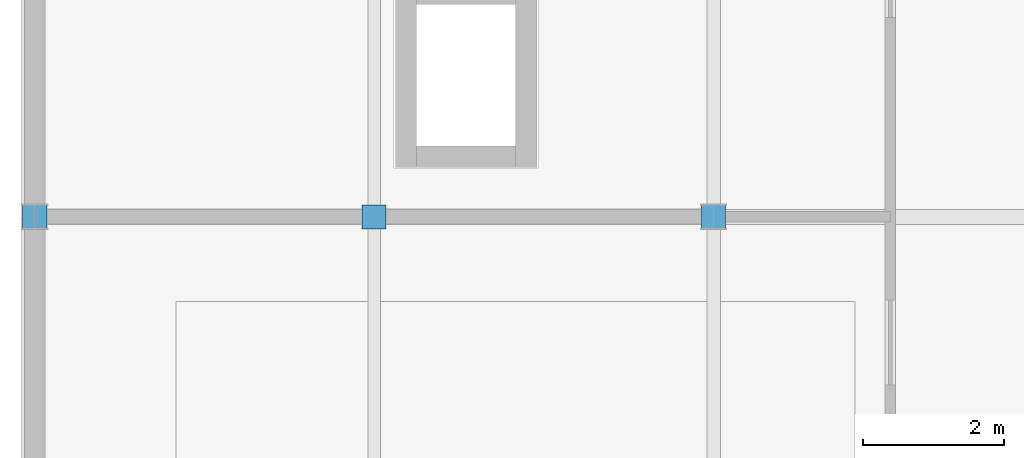
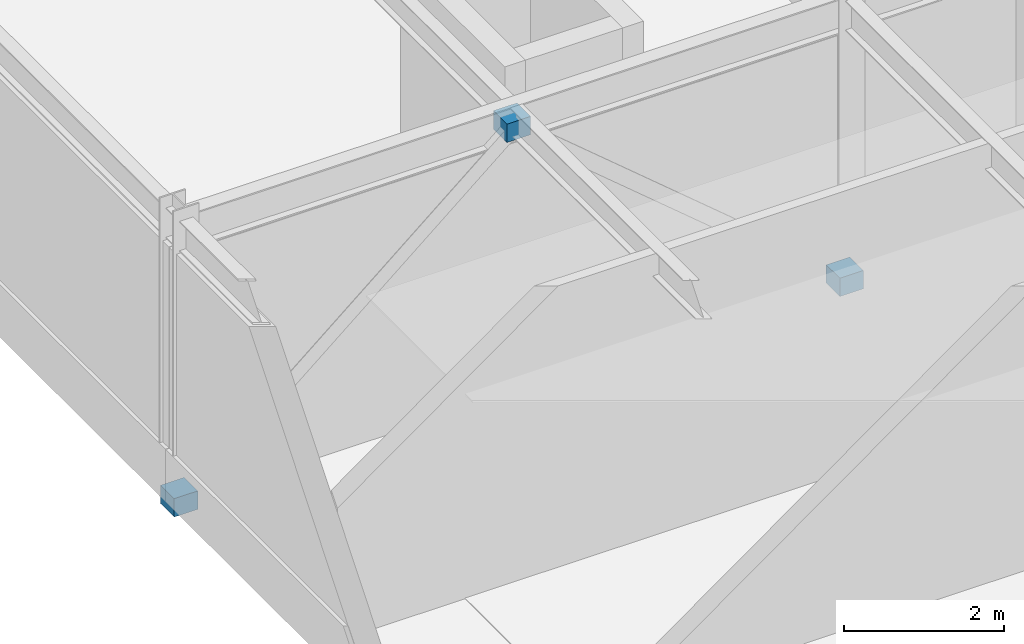
# One storey, part 98 of 133: 3 plates.
"""IFC4 building model written with IfcOpenShell, lengths in metres."""

from ifc_helpers import new_model, si_unit, direction, frame, origin, origin_2d, place, context, subcontext, project, spatial, rectangle, extrude, material, layer, layer_set, type_object, element, save


model = new_model("IFC4")

# Units and contexts
model_context = context("Model", 3, precision=1e-05, world=origin(), true_north=direction((0.0, 1.0)))
body_context = subcontext(model_context, "Body", "Model", "MODEL_VIEW")
ifc_project = project(units=[si_unit("LENGTHUNIT", "METRE"), si_unit("AREAUNIT", "SQUARE_METRE"), si_unit("VOLUMEUNIT", "CUBIC_METRE"), si_unit("PLANEANGLEUNIT", "RADIAN"), si_unit("MASSUNIT", "GRAM", prefix="KILO")], contexts=[model_context])

# Site, building, storey
site_placement = place(None, origin())
site = spatial("IfcSite", under=ifc_project, at=site_placement, CompositionType="ELEMENT")
building_placement = place(site_placement, origin())
building = spatial("IfcBuilding", under=site, at=building_placement, Name="Almandine Court Research Institute", CompositionType="ELEMENT")
storey_placement = place(building_placement, frame((0.0, 0.0, 9.800048828125)))
storey = spatial("IfcBuildingStorey", under=building, at=storey_placement, Name="L02", CompositionType="ELEMENT", Elevation=9.800048828125)

# Plates
ifc_material = material(Name="Steel ASTM A36", Category="steel")
ifc_layer = layer(ifc_material, 0.280029296875)
ifc_layer_set = layer_set([ifc_layer], Name="Steel ASTM A36")
plate_type = type_object("IfcPlateType", Name="Plate-NPI-03", PredefinedType="SHEET", material=ifc_layer_set)
for number, where, z_axis, x_axis, name in (
    (1, (6.0, 103.199951171875, -0.1201171875), (0.0, 0.0, 1.0), (1.0, 0.0, 0.0), "L02 Seismic Brace Gusset Cap Plate V3-BF1-BL"),
    (2, (15.60009765625, 103.199951171875, -0.1201171875), (0.0, 0.0, 1.0), (1.0, 0.0, 0.0), "L02 Seismic Brace Gusset Cap Plate V3-BF1-BR"),
    (3, (10.800048828125, 103.199951171875, 3.91015625), (0.0, 0.0, 1.0), (1.0, 0.0, 0.0), "L02 Seismic Brace Gusset Cap Plate V3-BF1-AP"),
):
    element("IfcPlate", number, at=place(storey_placement, frame(where, z_axis=z_axis, x_axis=x_axis)), inside=storey, type_object=plate_type, Name=name, PredefinedType="SHEET", context=body_context, shape_type="SweptSolid", body=[
        extrude(rectangle(XDim=0.340087890625, YDim=0.340087890625, at=origin_2d()), origin(), (0.0, 0.0, 1.0), 0.280029296875),
    ])

save(model, "model.ifc")
